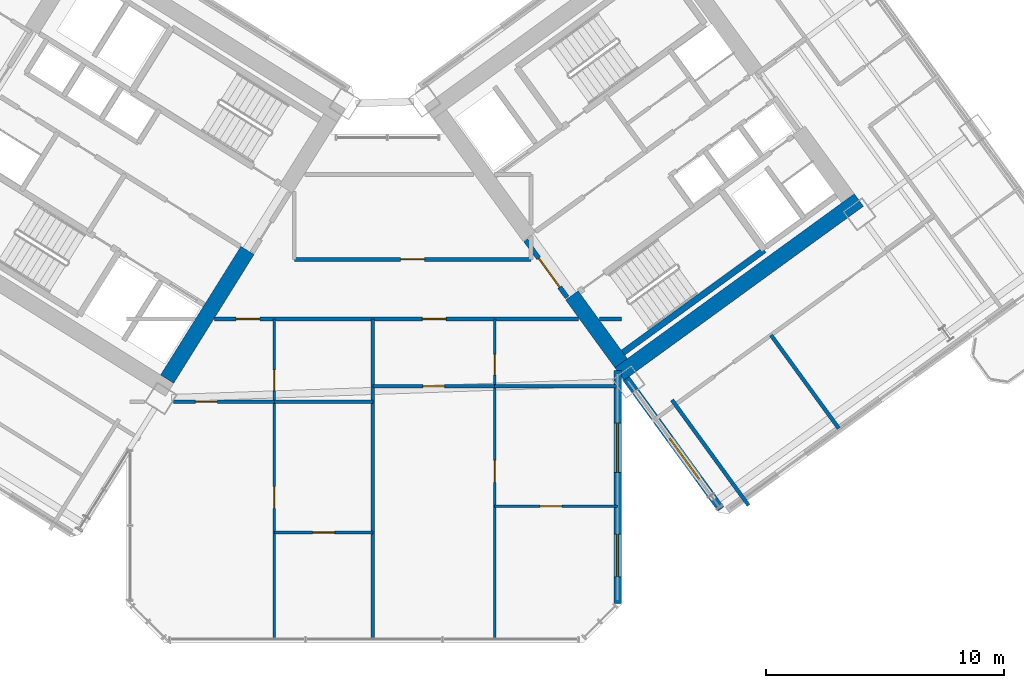
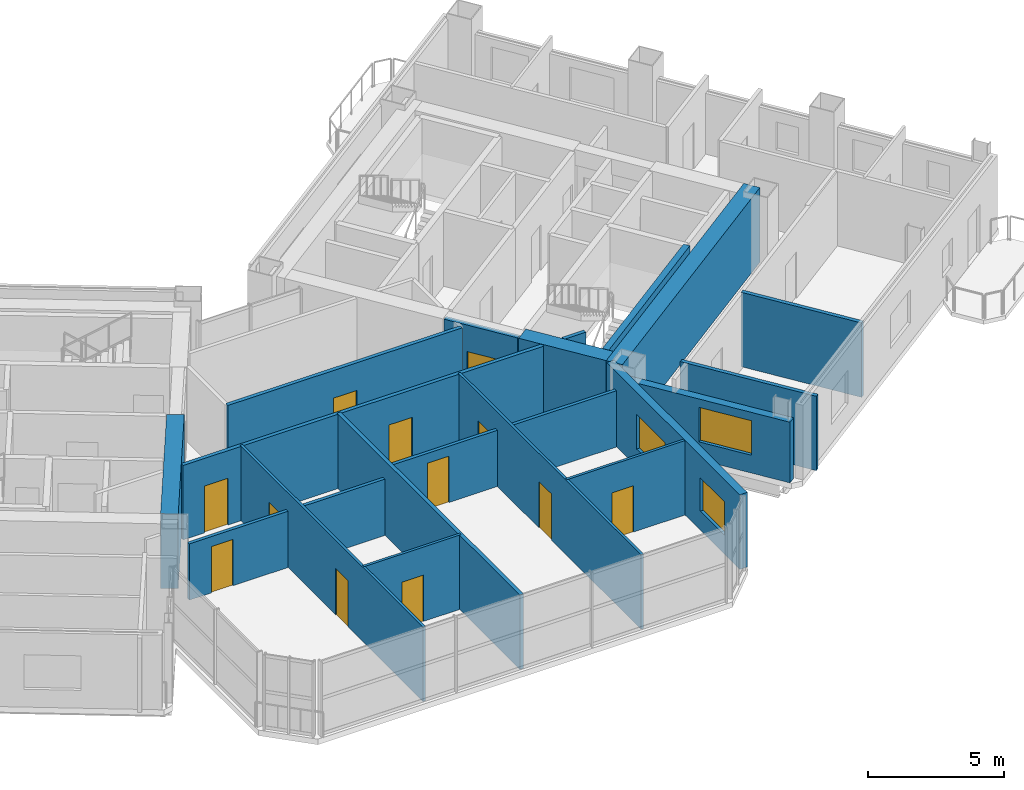
# One storey, part 17 of 28: 21 walls, 12 doors, 3 windows, 15 openings.
"""IFC4 building model written with IfcOpenShell, lengths in metres."""

from ifc_helpers import new_model, si_unit, direction, frame, frame_2d, origin, place, context, subcontext, project, spatial, rectangle, extrude, source, transform, mapped, material, layer, layer_set, type_object, element, fill, save


model = new_model("IFC4")

# Units and contexts
model_context = context("Model", 3, precision=1e-05, world=origin(), true_north=direction((0.0, 1.0)))
body_context = subcontext(model_context, "Body", "Model", "MODEL_VIEW")
ifc_project = project(units=[si_unit("LENGTHUNIT", "METRE"), si_unit("AREAUNIT", "SQUARE_METRE"), si_unit("VOLUMEUNIT", "CUBIC_METRE"), si_unit("PLANEANGLEUNIT", "RADIAN"), si_unit("MASSUNIT", "GRAM", prefix="KILO")], contexts=[model_context])

# Site, building, storey
site_placement = place(None, origin())
site = spatial("IfcSite", under=ifc_project, at=site_placement, CompositionType="ELEMENT")
building_placement = place(site_placement, origin())
building = spatial("IfcBuilding", under=site, at=building_placement, Name="Tlacorven Tower", CompositionType="ELEMENT")
storey_placement = place(building_placement, frame((0.0, 0.0, 56.39990234375)))
storey = spatial("IfcBuildingStorey", under=building, at=storey_placement, Name="L14", CompositionType="ELEMENT", Elevation=56.39990234375)

# Walls
ifc_material_1 = material(Name="Concrete C60/75", Category="concrete")
ifc_layer_1 = layer(ifc_material_1, 0.64990234375)
ifc_layer_set_1 = layer_set([ifc_layer_1], Name="Concrete C60/75")
wall_type_1 = type_object("IfcWallType", Name="WL-COR-650", PredefinedType="SHEAR", material=ifc_layer_set_1)
wall_1_placement = place(storey_placement, frame((36.683349609375, 18.30419921875, 0.0), z_axis=(0.0, 0.0, 1.0), x_axis=(-0.529899109053, -0.848060690178, 0.0)))
element("IfcWall", 1, at=wall_1_placement, inside=storey, type_object=wall_type_1, Name="L14 W core end wall E1.2", PredefinedType="SHEAR", context=body_context, shape_type="SweptSolid", body=[
    extrude(rectangle(XDim=6.375244140625, YDim=0.64990234375, at=frame_2d((3.1875, 0.0))), origin(), (0.0, 0.0, 1.0), 3.35009765625),
])
wall_2_placement = place(storey_placement, frame((52.318359375, 13.1103515625, 0.0), z_axis=(0.0, 0.0, 1.0), x_axis=(0.809019445368, 0.587781878776, 0.0)))
element("IfcWall", 2, at=wall_2_placement, inside=storey, type_object=wall_type_1, Name="L14 E core shear wall S1", PredefinedType="SHEAR", context=body_context, shape_type="SweptSolid", body=[
    extrude(rectangle(XDim=12.43994140625, YDim=0.64990234375, at=frame_2d((6.219970703125, 0.0))), origin(), (0.0, 0.0, 1.0), 3.35009765625),
])
wall_3_placement = place(storey_placement, frame((52.390380859375, 13.564208984375, 0.0), z_axis=(0.0, 0.0, 1.0), x_axis=(-0.58779688989, 0.809008539037, 0.0)))
element("IfcWall", 3, at=wall_3_placement, inside=storey, type_object=wall_type_1, Name="L14 E core end wall E1.1", PredefinedType="SHEAR", context=body_context, shape_type="SweptSolid", body=[
    extrude(rectangle(XDim=3.525146484375, YDim=0.64990234375, at=frame_2d((1.7626953125, 0.0))), origin(), (0.0, 0.0, 1.0), 3.35009765625),
])

# Wall, openings, doors
ifc_material_2 = material(Name="Gypsum plasterboard acoustic partition", Category="gypsum")
ifc_layer_2 = layer(ifc_material_2, 0.159912109375)
ifc_layer_set_2 = layer_set([ifc_layer_2], Name="Gypsum plasterboard acoustic partition")
wall_type_2 = type_object("IfcWallType", Name="WL-DEM-160", PredefinedType="PARTITIONING", material=ifc_layer_set_2)
wall_4_placement = place(storey_placement, frame((35.29638671875, 15.419921875, 0.0), z_axis=(0.0, 0.0, 1.0), x_axis=(1.0, 0.0, 0.0)))
wall_4 = element("IfcWall", 4, at=wall_4_placement, inside=storey, type_object=wall_type_2, Name="L14 Knuckle Corridor South Wall", PredefinedType="PARTITIONING", context=body_context, shape_type="SweptSolid", body=[
    extrude(rectangle(XDim=15.310546875, YDim=0.159912109375, at=frame_2d((7.6552734375, 0.0))), origin(), (0.0, 0.0, 1.0), 3.340087890625),
])
opening_1_placement = place(wall_4_placement, frame((0.91015625, 0.0, 0.0)))
opening_1 = element("IfcOpeningElement", 5, at=opening_1_placement, cuts=wall_4, Name="Opening D11", PredefinedType="OPENING", context=body_context, shape_type="SweptSolid", body=[
    extrude(rectangle(XDim=1.0, YDim=2.10009765625, at=frame_2d((0.5, 1.050048828125))), frame((0.0, 0.08984375, 0.0), z_axis=(0.0, -1.0, 0.0), x_axis=(1.0, 0.0, 0.0)), (0.0, 0.0, 1.0), 0.179931640625),
])
opening_2_placement = place(wall_4_placement, frame((8.73974609375, 0.0, 0.0)))
opening_2 = element("IfcOpeningElement", 6, at=opening_2_placement, cuts=wall_4, Name="Opening D11", PredefinedType="OPENING", context=body_context, shape_type="SweptSolid", body=[
    extrude(rectangle(XDim=1.0, YDim=2.10009765625, at=frame_2d((0.5, 1.050048828125))), frame((0.0, 0.08984375, 0.0), z_axis=(0.0, -1.0, 0.0), x_axis=(1.0, 0.0, 0.0)), (0.0, 0.0, 1.0), 0.179931640625),
])
ifc_material_3 = material(Name="Fire-rated steel door assembly", Category="steel")
door_type_1 = type_object("IfcDoorType", Name="DR-FLT-FD60-1000", OperationType="NOTDEFINED", PredefinedType="DOOR", material=ifc_material_3)
shared_shape_1 = source(origin(), body_context, "Body", "SweptSolid", [
    extrude(rectangle(XDim=1.0, YDim=2.10009765625, at=frame_2d((0.5, 1.050048828125))), frame((0.0, 0.02490234375, 0.0), z_axis=(0.0, -1.0, 0.0), x_axis=(1.0, 0.0, 0.0)), (0.0, 0.0, 1.0), 0.050048828125),
])
door_1_placement = place(opening_1_placement, frame((1.0, 0.0, 0.0), z_axis=(0.0, 0.0, 1.0), x_axis=(-1.0, 0.0, 0.0)))
door_1 = element("IfcDoor", 7, at=door_1_placement, inside=storey, type_object=door_type_1, Name="L14 door 045", OperationType="SINGLE_SWING_LEFT", OverallHeight=2.10009765625, OverallWidth=1.0, PredefinedType="DOOR", context=body_context, shape_type="MappedRepresentation", body=[
    mapped(shared_shape_1, transform((0.0, 0.0, 0.0), scale=1.0)),
])
fill(opening_1, door_1)
door_2_placement = place(opening_2_placement, frame((1.0, 0.0, 0.0), z_axis=(0.0, 0.0, 1.0), x_axis=(-1.0, 0.0, 0.0)))
door_2 = element("IfcDoor", 8, at=door_2_placement, inside=storey, type_object=door_type_1, Name="L14 door 050", OperationType="SINGLE_SWING_RIGHT", OverallHeight=2.10009765625, OverallWidth=1.0, PredefinedType="DOOR", context=body_context, shape_type="MappedRepresentation", body=[
    mapped(shared_shape_1, transform((0.0, 0.0, 0.0), scale=1.0)),
])
fill(opening_2, door_2)

# Wall
wall_5_placement = place(storey_placement, frame((51.477294921875, 15.419921875, 0.0), z_axis=(0.0, 0.0, 1.0), x_axis=(1.0, 0.0, 0.0)))
element("IfcWall", 9, at=wall_5_placement, inside=storey, type_object=wall_type_2, Name="L14 Knuckle Corridor South Wall", PredefinedType="PARTITIONING", context=body_context, shape_type="SweptSolid", body=[
    extrude(rectangle(XDim=0.922607421875, YDim=0.159912109375, at=frame_2d((0.46142578125, 0.0))), origin(), (0.0, 0.0, 1.0), 3.340087890625),
])

# Wall, opening, door
wall_6_placement = place(storey_placement, frame((38.64990234375, 17.929931640625, 0.0), z_axis=(0.0, 0.0, 1.0), x_axis=(1.0, 0.0, 0.0)))
wall_6 = element("IfcWall", 10, at=wall_6_placement, inside=storey, type_object=wall_type_2, Name="L14 partition 74", PredefinedType="PARTITIONING", context=body_context, shape_type="SweptSolid", body=[
    extrude(rectangle(XDim=9.9501953125, YDim=0.159912109375, at=frame_2d((4.97509765625, 0.0))), origin(), (0.0, 0.0, 1.0), 3.340087890625),
])
opening_3_placement = place(wall_6_placement, frame((4.47509765625, 0.0, 0.0)))
opening_3 = element("IfcOpeningElement", 11, at=opening_3_placement, cuts=wall_6, Name="Opening D11", PredefinedType="OPENING", context=body_context, shape_type="SweptSolid", body=[
    extrude(rectangle(XDim=1.0, YDim=2.10009765625, at=frame_2d((0.5, 1.050048828125))), frame((0.0, 0.08984375, 0.0), z_axis=(0.0, -1.0, 0.0), x_axis=(1.0, 0.0, 0.0)), (0.0, 0.0, 1.0), 0.179931640625),
])
door_3_placement = place(opening_3_placement, origin())
door_3 = element("IfcDoor", 12, at=door_3_placement, inside=storey, type_object=door_type_1, Name="L14 door 040", OperationType="SINGLE_SWING_RIGHT", OverallHeight=2.10009765625, OverallWidth=1.0, PredefinedType="DOOR", context=body_context, shape_type="MappedRepresentation", body=[
    mapped(shared_shape_1, transform((0.0, 0.0, 0.0), scale=1.0)),
])
fill(opening_3, door_3)

# Walls
wall_7_placement = place(storey_placement, frame((41.949951171875, 1.9599609375, 0.0), z_axis=(0.0, 0.0, 1.0), x_axis=(0.0, 1.0, 0.0)))
element("IfcWall", 13, at=wall_7_placement, inside=storey, type_object=wall_type_2, Name="L14 Knuckle Demising Wall 1", PredefinedType="PARTITIONING", context=body_context, shape_type="SweptSolid", body=[
    extrude(rectangle(XDim=13.4599609375, YDim=0.159912109375, at=frame_2d((6.72998046875, 0.0))), origin(), (0.0, 0.0, 1.0), 3.340087890625),
])
wall_8_placement = place(storey_placement, frame((57.747314453125, 7.586181640625, 0.0), z_axis=(0.0, 0.0, 1.0), x_axis=(-0.587784893399, 0.809017255126, 0.0)))
element("IfcWall", 14, at=wall_8_placement, inside=storey, type_object=wall_type_2, Name="L14 EC West Throat Wall", PredefinedType="PARTITIONING", context=body_context, shape_type="SweptSolid", body=[
    extrude(rectangle(XDim=5.480224609375, YDim=0.159912109375, at=frame_2d((2.740234375, 0.0))), origin(), (0.0, 0.0, 1.0), 3.340087890625),
])
wall_9_placement = place(storey_placement, frame((61.538818359375, 10.822998046875, 0.0), z_axis=(0.0, 0.0, 1.0), x_axis=(-0.587785532001, 0.809016791155, 0.0)))
element("IfcWall", 15, at=wall_9_placement, inside=storey, type_object=wall_type_2, Name="L14 EC Demising Wall 1", PredefinedType="PARTITIONING", context=body_context, shape_type="SweptSolid", body=[
    extrude(rectangle(XDim=4.85009765625, YDim=0.159912109375, at=frame_2d((2.425048828125, 0.0))), origin(), (0.0, 0.0, 1.0), 3.340087890625),
])

# Wall, opening, window
ifc_material_4 = material(Name="Precast concrete C45/55", Category="concrete")
ifc_layer_3 = layer(ifc_material_4, 0.320068359375)
ifc_layer_set_3 = layer_set([ifc_layer_3], Name="Precast concrete C45/55")
wall_type_3 = type_object("IfcWallType", Name="WL-EXT-320", PredefinedType="STANDARD", material=ifc_layer_set_3)
wall_10_placement = place(storey_placement, frame((56.5810546875, 7.43896484375, 0.0), z_axis=(0.0, 0.0, 1.0), x_axis=(-0.587785875463, 0.809016541614, 0.0)))
wall_10 = element("IfcWall", 16, at=wall_10_placement, inside=storey, type_object=wall_type_3, Name="L14 Masonry-Frame Recessed Facade Wall 7", PredefinedType="STANDARD", context=body_context, shape_type="SweptSolid", body=[
    extrude(rectangle(XDim=6.773681640625, YDim=0.320068359375, at=frame_2d((3.38671875, 0.0))), origin(), (0.0, 0.0, 1.0), 2.72509765625),
])
opening_4_placement = place(wall_10_placement, frame((1.55615234375, 0.0, 0.800048828125)))
opening_4 = element("IfcOpeningElement", 17, at=opening_4_placement, cuts=wall_10, Name="Opening WN04", PredefinedType="OPENING", context=body_context, shape_type="SweptSolid", body=[
    extrude(rectangle(XDim=2.10009765625, YDim=1.550048828125, at=frame_2d((1.050048828125, 0.77490234375))), frame((0.0, 0.169921875, 0.0), z_axis=(0.0, -1.0, 0.0), x_axis=(1.0, 0.0, 0.0)), (0.0, 0.0, 1.0), 0.340087890625),
])
ifc_material_5 = material(Name="Dark solar low-E double glazing in anodised aluminium frame", Category="aluminium")
window_type_1 = type_object("IfcWindowType", Name="WN-APT-2100X1750", PartitioningType="SINGLE_PANEL", PredefinedType="WINDOW", material=ifc_material_5)
shared_shape_2 = source(origin(), body_context, "Body", "SweptSolid", [
    extrude(rectangle(XDim=2.10009765625, YDim=1.550048828125, at=frame_2d((1.050048828125, 0.77490234375))), frame((0.0, 0.030029296875, 0.0), z_axis=(0.0, -1.0, 0.0), x_axis=(1.0, 0.0, 0.0)), (0.0, 0.0, 1.0), 0.06005859375),
])
window_1_placement = place(opening_4_placement, origin())
window_1 = element("IfcWindow", 18, at=window_1_placement, inside=storey, type_object=window_type_1, Name="L14 Recessed Masonry-Frame Window L14-07.1", OverallHeight=1.550048828125, OverallWidth=2.10009765625, PartitioningType="SINGLE_PANEL", PredefinedType="WINDOW", context=body_context, shape_type="MappedRepresentation", body=[
    mapped(shared_shape_2, transform((0.0, 0.0, 0.0), scale=1.0)),
])
fill(opening_4, window_1)

# Wall, openings, windows
wall_11_placement = place(storey_placement, frame((52.239990234375, 13.260986328125, 0.0), z_axis=(0.0, 0.0, 1.0), x_axis=(0.0, -1.0, 0.0)))
wall_11 = element("IfcWall", 19, at=wall_11_placement, inside=storey, type_object=wall_type_3, Name="L14 Masonry-Frame Recessed Facade Wall 8", PredefinedType="STANDARD", context=body_context, shape_type="SweptSolid", body=[
    extrude(rectangle(XDim=9.794677734375, YDim=0.320068359375, at=frame_2d((4.8974609375, 0.0))), origin(), (0.0, 0.0, 1.0), 3.35009765625),
])
opening_5_placement = place(wall_11_placement, frame((2.199462890625, 0.0, 0.800048828125)))
opening_5 = element("IfcOpeningElement", 20, at=opening_5_placement, cuts=wall_11, Name="Opening WN04", PredefinedType="OPENING", context=body_context, shape_type="SweptSolid", body=[
    extrude(rectangle(XDim=2.10009765625, YDim=1.550048828125, at=frame_2d((1.050048828125, 0.77490234375))), frame((0.0, 0.169921875, 0.0), z_axis=(0.0, -1.0, 0.0), x_axis=(1.0, 0.0, 0.0)), (0.0, 0.0, 1.0), 0.340087890625),
])
opening_6_placement = place(wall_11_placement, frame((6.880126953125, 0.0, 0.85009765625)))
opening_6 = element("IfcOpeningElement", 21, at=opening_6_placement, cuts=wall_11, Name="Opening WN01", PredefinedType="OPENING", context=body_context, shape_type="SweptSolid", body=[
    extrude(rectangle(XDim=1.800048828125, YDim=1.5, at=frame_2d((0.89990234375, 0.75))), frame((0.0, 0.169921875, 0.0), z_axis=(0.0, -1.0, 0.0), x_axis=(1.0, 0.0, 0.0)), (0.0, 0.0, 1.0), 0.340087890625),
])
window_2_placement = place(opening_5_placement, origin())
window_2 = element("IfcWindow", 22, at=window_2_placement, inside=storey, type_object=window_type_1, Name="L14 Recessed Masonry-Frame Window L14-08.1", OverallHeight=1.550048828125, OverallWidth=2.10009765625, PartitioningType="SINGLE_PANEL", PredefinedType="WINDOW", context=body_context, shape_type="MappedRepresentation", body=[
    mapped(shared_shape_2, transform((0.0, 0.0, 0.0), scale=1.0)),
])
fill(opening_5, window_2)
window_type_2 = type_object("IfcWindowType", Name="WN-APT-1800X1650", PartitioningType="SINGLE_PANEL", PredefinedType="WINDOW", material=ifc_material_5)
shared_shape_3 = source(origin(), body_context, "Body", "SweptSolid", [
    extrude(rectangle(XDim=1.800048828125, YDim=1.5, at=frame_2d((0.89990234375, 0.75))), frame((0.0, 0.030029296875, 0.0), z_axis=(0.0, -1.0, 0.0), x_axis=(1.0, 0.0, 0.0)), (0.0, 0.0, 1.0), 0.06005859375),
])
window_3_placement = place(opening_6_placement, origin())
window_3 = element("IfcWindow", 23, at=window_3_placement, inside=storey, type_object=window_type_2, Name="L14 Recessed Masonry-Frame Window L14-08.2", OverallHeight=1.5, OverallWidth=1.800048828125, PartitioningType="SINGLE_PANEL", PredefinedType="WINDOW", context=body_context, shape_type="MappedRepresentation", body=[
    mapped(shared_shape_3, transform((0.0, 0.0, 0.0), scale=1.0)),
])
fill(opening_6, window_3)

# Wall, openings, doors
ifc_material_6 = material(Name="Gypsum plasterboard partition", Category="gypsum")
ifc_layer_4 = layer(ifc_material_6, 0.110107421875)
ifc_layer_set_4 = layer_set([ifc_layer_4], Name="Gypsum plasterboard partition")
wall_type_4 = type_object("IfcWallType", Name="WL-INT-110", PredefinedType="PARTITIONING", material=ifc_layer_set_4)
wall_12_placement = place(storey_placement, frame((37.81298828125, 1.9599609375, 0.0), z_axis=(0.0, 0.0, 1.0), x_axis=(0.0, 1.0, 0.0)))
wall_12 = element("IfcWall", 24, at=wall_12_placement, inside=storey, type_object=wall_type_4, Name="L14 partition 80", PredefinedType="PARTITIONING", context=body_context, shape_type="SweptSolid", body=[
    extrude(rectangle(XDim=13.4599609375, YDim=0.110107421875, at=frame_2d((6.72998046875, 0.0))), origin(), (0.0, 0.0, 1.0), 3.340087890625),
])
opening_7_placement = place(wall_12_placement, frame((5.5, 0.0, 0.0)))
opening_7 = element("IfcOpeningElement", 25, at=opening_7_placement, cuts=wall_12, Name="Opening D12", PredefinedType="OPENING", context=body_context, shape_type="SweptSolid", body=[
    extrude(rectangle(XDim=0.919921875, YDim=2.080078125, at=frame_2d((0.4599609375, 1.0400390625))), frame((0.0, 0.06494140625, 0.0), z_axis=(0.0, -1.0, 0.0), x_axis=(1.0, 0.0, 0.0)), (0.0, 0.0, 1.0), 0.130126953125),
])
opening_8_placement = place(wall_12_placement, frame((10.449951171875, 0.0, 0.0)))
opening_8 = element("IfcOpeningElement", 26, at=opening_8_placement, cuts=wall_12, Name="Opening D13", PredefinedType="OPENING", context=body_context, shape_type="SweptSolid", body=[
    extrude(rectangle(XDim=0.8798828125, YDim=2.080078125, at=frame_2d((0.43994140625, 1.0400390625))), frame((0.0, 0.06494140625, 0.0), z_axis=(0.0, -1.0, 0.0), x_axis=(1.0, 0.0, 0.0)), (0.0, 0.0, 1.0), 0.130126953125),
])
ifc_material_7 = material(Name="Powder-coated aluminium and timber door", Category="wood")
door_type_2 = type_object("IfcDoorType", Name="DR-INT-WET-0880", OperationType="NOTDEFINED", PredefinedType="DOOR", material=ifc_material_7)
shared_shape_4 = source(origin(), body_context, "Body", "SweptSolid", [
    extrude(rectangle(XDim=0.8798828125, YDim=2.080078125, at=frame_2d((0.43994140625, 1.0400390625))), frame((0.0, 0.02490234375, 0.0), z_axis=(0.0, -1.0, 0.0), x_axis=(1.0, 0.0, 0.0)), (0.0, 0.0, 1.0), 0.050048828125),
])
door_4_placement = place(opening_8_placement, origin())
door_4 = element("IfcDoor", 27, at=door_4_placement, inside=storey, type_object=door_type_2, Name="L14 door 047", OperationType="SINGLE_SWING_LEFT", OverallHeight=2.080078125, OverallWidth=0.8798828125, PredefinedType="DOOR", context=body_context, shape_type="MappedRepresentation", body=[
    mapped(shared_shape_4, transform((0.0, 0.0, 0.0), scale=1.0)),
])
fill(opening_8, door_4)
door_type_3 = type_object("IfcDoorType", Name="DR-INT-ROOM-0920", OperationType="NOTDEFINED", PredefinedType="DOOR", material=ifc_material_7)
shared_shape_5 = source(origin(), body_context, "Body", "SweptSolid", [
    extrude(rectangle(XDim=0.919921875, YDim=2.080078125, at=frame_2d((0.4599609375, 1.0400390625))), frame((0.0, 0.02490234375, 0.0), z_axis=(0.0, -1.0, 0.0), x_axis=(1.0, 0.0, 0.0)), (0.0, 0.0, 1.0), 0.050048828125),
])
door_5_placement = place(opening_7_placement, origin())
door_5 = element("IfcDoor", 28, at=door_5_placement, inside=storey, type_object=door_type_3, Name="L14 door 043", OperationType="SINGLE_SWING_LEFT", OverallHeight=2.080078125, OverallWidth=0.919921875, PredefinedType="DOOR", context=body_context, shape_type="MappedRepresentation", body=[
    mapped(shared_shape_5, transform((0.0, 0.0, 0.0), scale=1.0)),
])
fill(opening_7, door_5)

# Wall, opening, door
wall_13_placement = place(storey_placement, frame((37.81298828125, 6.449951171875, 0.0), z_axis=(0.0, 0.0, 1.0), x_axis=(1.0, 0.0, 0.0)))
wall_13 = element("IfcWall", 29, at=wall_13_placement, inside=storey, type_object=wall_type_4, Name="L14 partition 83", PredefinedType="PARTITIONING", context=body_context, shape_type="SweptSolid", body=[
    extrude(rectangle(XDim=4.136962890625, YDim=0.110107421875, at=frame_2d((2.068359375, 0.0))), origin(), (0.0, 0.0, 1.0), 3.340087890625),
])
opening_9_placement = place(wall_13_placement, frame((1.6083984375, 0.0, 0.0)))
opening_9 = element("IfcOpeningElement", 30, at=opening_9_placement, cuts=wall_13, Name="Opening D12", PredefinedType="OPENING", context=body_context, shape_type="SweptSolid", body=[
    extrude(rectangle(XDim=0.919921875, YDim=2.080078125, at=frame_2d((0.4599609375, 1.0400390625))), frame((0.0, 0.06494140625, 0.0), z_axis=(0.0, -1.0, 0.0), x_axis=(1.0, 0.0, 0.0)), (0.0, 0.0, 1.0), 0.130126953125),
])
door_6_placement = place(opening_9_placement, origin())
door_6 = element("IfcDoor", 31, at=door_6_placement, inside=storey, type_object=door_type_3, Name="L14 door 044", OperationType="SINGLE_SWING_RIGHT", OverallHeight=2.080078125, OverallWidth=0.919921875, PredefinedType="DOOR", context=body_context, shape_type="MappedRepresentation", body=[
    mapped(shared_shape_5, transform((0.0, 0.0, 0.0), scale=1.0)),
])
fill(opening_9, door_6)

# Wall, openings, doors
wall_14_placement = place(storey_placement, frame((47.072021484375, 1.9599609375, 0.0), z_axis=(0.0, 0.0, 1.0), x_axis=(0.0, 1.0, 0.0)))
wall_14 = element("IfcWall", 32, at=wall_14_placement, inside=storey, type_object=wall_type_4, Name="L14 partition 84", PredefinedType="PARTITIONING", context=body_context, shape_type="SweptSolid", body=[
    extrude(rectangle(XDim=13.4599609375, YDim=0.110107421875, at=frame_2d((6.72998046875, 0.0))), origin(), (0.0, 0.0, 1.0), 3.340087890625),
])
opening_10_placement = place(wall_14_placement, frame((6.60009765625, 0.0, 0.0)))
opening_10 = element("IfcOpeningElement", 33, at=opening_10_placement, cuts=wall_14, Name="Opening D12", PredefinedType="OPENING", context=body_context, shape_type="SweptSolid", body=[
    extrude(rectangle(XDim=0.919921875, YDim=2.080078125, at=frame_2d((0.4599609375, 1.0400390625))), frame((0.0, 0.06494140625, 0.0), z_axis=(0.0, -1.0, 0.0), x_axis=(1.0, 0.0, 0.0)), (0.0, 0.0, 1.0), 0.130126953125),
])
opening_11_placement = place(wall_14_placement, frame((11.10009765625, 0.0, 0.0)))
opening_11 = element("IfcOpeningElement", 34, at=opening_11_placement, cuts=wall_14, Name="Opening D13", PredefinedType="OPENING", context=body_context, shape_type="SweptSolid", body=[
    extrude(rectangle(XDim=0.8798828125, YDim=2.080078125, at=frame_2d((0.43994140625, 1.0400390625))), frame((0.0, 0.06494140625, 0.0), z_axis=(0.0, -1.0, 0.0), x_axis=(1.0, 0.0, 0.0)), (0.0, 0.0, 1.0), 0.130126953125),
])
door_7_placement = place(opening_11_placement, origin())
door_7 = element("IfcDoor", 35, at=door_7_placement, inside=storey, type_object=door_type_2, Name="L14 door 052", OperationType="SINGLE_SWING_RIGHT", OverallHeight=2.080078125, OverallWidth=0.8798828125, PredefinedType="DOOR", context=body_context, shape_type="MappedRepresentation", body=[
    mapped(shared_shape_4, transform((0.0, 0.0, 0.0), scale=1.0)),
])
fill(opening_11, door_7)
door_8_placement = place(opening_10_placement, origin())
door_8 = element("IfcDoor", 36, at=door_8_placement, inside=storey, type_object=door_type_3, Name="L14 door 048", OperationType="SINGLE_SWING_RIGHT", OverallHeight=2.080078125, OverallWidth=0.919921875, PredefinedType="DOOR", context=body_context, shape_type="MappedRepresentation", body=[
    mapped(shared_shape_5, transform((0.0, 0.0, 0.0), scale=1.0)),
])
fill(opening_10, door_8)

# Wall, opening, door
wall_15_placement = place(storey_placement, frame((47.072021484375, 7.550048828125, 0.0), z_axis=(0.0, 0.0, 1.0), x_axis=(1.0, 0.0, 0.0)))
wall_15 = element("IfcWall", 37, at=wall_15_placement, inside=storey, type_object=wall_type_4, Name="L14 partition 87", PredefinedType="PARTITIONING", context=body_context, shape_type="SweptSolid", body=[
    extrude(rectangle(XDim=5.18798828125, YDim=0.110107421875, at=frame_2d((2.593994140625, 0.0))), origin(), (0.0, 0.0, 1.0), 3.340087890625),
])
opening_12_placement = place(wall_15_placement, frame((1.904052734375, 0.0, 0.0)))
opening_12 = element("IfcOpeningElement", 38, at=opening_12_placement, cuts=wall_15, Name="Opening D12", PredefinedType="OPENING", context=body_context, shape_type="SweptSolid", body=[
    extrude(rectangle(XDim=0.919921875, YDim=2.080078125, at=frame_2d((0.4599609375, 1.0400390625))), frame((0.0, 0.06494140625, 0.0), z_axis=(0.0, -1.0, 0.0), x_axis=(1.0, 0.0, 0.0)), (0.0, 0.0, 1.0), 0.130126953125),
])
door_9_placement = place(opening_12_placement, origin())
door_9 = element("IfcDoor", 39, at=door_9_placement, inside=storey, type_object=door_type_3, Name="L14 door 049", OperationType="SINGLE_SWING_LEFT", OverallHeight=2.080078125, OverallWidth=0.919921875, PredefinedType="DOOR", context=body_context, shape_type="MappedRepresentation", body=[
    mapped(shared_shape_5, transform((0.0, 0.0, 0.0), scale=1.0)),
])
fill(opening_12, door_9)

ifc_material_8 = material(Name="Moisture-resistant gypsum plumbing wall", Category="gypsum")
ifc_layer_5 = layer(ifc_material_8, 0.139892578125)
ifc_layer_set_5 = layer_set([ifc_layer_5], Name="Moisture-resistant gypsum plumbing wall")
wall_type_5 = type_object("IfcWallType", Name="WL-PLM-140", PredefinedType="PLUMBINGWALL", material=ifc_layer_set_5)
wall_16_placement = place(storey_placement, frame((33.564453125, 11.949951171875, 0.0), z_axis=(0.0, 0.0, 1.0), x_axis=(1.0, 0.0, 0.0)))
wall_16 = element("IfcWall", 40, at=wall_16_placement, inside=storey, type_object=wall_type_5, Name="L14 partition 81", PredefinedType="PLUMBINGWALL", context=body_context, shape_type="SweptSolid", body=[
    extrude(rectangle(XDim=4.24853515625, YDim=0.139892578125, at=frame_2d((2.124267578125, 0.0))), origin(), (0.0, 0.0, 1.0), 2.525146484375),
])
opening_13_placement = place(wall_16_placement, frame((0.93212890625, 0.0, 0.0)))
opening_13 = element("IfcOpeningElement", 41, at=opening_13_placement, cuts=wall_16, Name="Opening D12", PredefinedType="OPENING", context=body_context, shape_type="SweptSolid", body=[
    extrude(rectangle(XDim=0.919921875, YDim=2.080078125, at=frame_2d((0.4599609375, 1.0400390625))), frame((0.0, 0.080078125, 0.0), z_axis=(0.0, -1.0, 0.0), x_axis=(1.0, 0.0, 0.0)), (0.0, 0.0, 1.0), 0.159912109375),
])
door_10_placement = place(opening_13_placement, frame((0.919921875, 0.0, 0.0), z_axis=(0.0, 0.0, 1.0), x_axis=(-1.0, 0.0, 0.0)))
door_10 = element("IfcDoor", 42, at=door_10_placement, inside=storey, type_object=door_type_3, Name="L14 door 046", OperationType="SINGLE_SWING_RIGHT", OverallHeight=2.080078125, OverallWidth=0.919921875, PredefinedType="DOOR", context=body_context, shape_type="MappedRepresentation", body=[
    mapped(shared_shape_5, transform((0.0, 0.0, 0.0), scale=1.0)),
])
fill(opening_13, door_10)

# Wall
wall_17_placement = place(storey_placement, frame((37.81298828125, 11.949951171875, 0.0), z_axis=(0.0, 0.0, 1.0), x_axis=(1.0, 0.0, 0.0)))
element("IfcWall", 43, at=wall_17_placement, inside=storey, type_object=wall_type_5, Name="L14 partition 82", PredefinedType="PLUMBINGWALL", context=body_context, shape_type="SweptSolid", body=[
    extrude(rectangle(XDim=4.136962890625, YDim=0.139892578125, at=frame_2d((2.068359375, 0.0))), origin(), (0.0, 0.0, 1.0), 2.525146484375),
])

# Wall, opening, door
wall_18_placement = place(storey_placement, frame((41.949951171875, 12.60009765625, 0.0), z_axis=(0.0, 0.0, 1.0), x_axis=(1.0, 0.0, 0.0)))
wall_18 = element("IfcWall", 44, at=wall_18_placement, inside=storey, type_object=wall_type_5, Name="L14 partition 85", PredefinedType="PLUMBINGWALL", context=body_context, shape_type="SweptSolid", body=[
    extrude(rectangle(XDim=5.1220703125, YDim=0.139892578125, at=frame_2d((2.56103515625, 0.0))), origin(), (0.0, 0.0, 1.0), 2.525146484375),
])
opening_14_placement = place(wall_18_placement, frame((2.10107421875, 0.0, 0.0)))
opening_14 = element("IfcOpeningElement", 45, at=opening_14_placement, cuts=wall_18, Name="Opening D12", PredefinedType="OPENING", context=body_context, shape_type="SweptSolid", body=[
    extrude(rectangle(XDim=0.919921875, YDim=2.080078125, at=frame_2d((0.4599609375, 1.0400390625))), frame((0.0, 0.080078125, 0.0), z_axis=(0.0, -1.0, 0.0), x_axis=(1.0, 0.0, 0.0)), (0.0, 0.0, 1.0), 0.159912109375),
])
door_11_placement = place(opening_14_placement, frame((0.919921875, 0.0, 0.0), z_axis=(0.0, 0.0, 1.0), x_axis=(-1.0, 0.0, 0.0)))
door_11 = element("IfcDoor", 46, at=door_11_placement, inside=storey, type_object=door_type_3, Name="L14 door 051", OperationType="SINGLE_SWING_LEFT", OverallHeight=2.080078125, OverallWidth=0.919921875, PredefinedType="DOOR", context=body_context, shape_type="MappedRepresentation", body=[
    mapped(shared_shape_5, transform((0.0, 0.0, 0.0), scale=1.0)),
])
fill(opening_14, door_11)

# Wall
wall_19_placement = place(storey_placement, frame((47.072021484375, 12.60009765625, 0.0), z_axis=(0.0, 0.0, 1.0), x_axis=(1.0, 0.0, 0.0)))
element("IfcWall", 47, at=wall_19_placement, inside=storey, type_object=wall_type_5, Name="L14 partition 86", PredefinedType="PLUMBINGWALL", context=body_context, shape_type="SweptSolid", body=[
    extrude(rectangle(XDim=5.12646484375, YDim=0.139892578125, at=frame_2d((2.563232421875, 0.0))), origin(), (0.0, 0.0, 1.0), 2.525146484375),
])

# Wall, opening, door
ifc_material_9 = material(Name="Concrete C40/50", Category="concrete")
ifc_layer_6 = layer(ifc_material_9, 0.199951171875)
ifc_layer_set_6 = layer_set([ifc_layer_6], Name="Concrete C40/50")
wall_type_6 = type_object("IfcWallType", Name="WL-SHF-200", PredefinedType="STANDARD", material=ifc_layer_set_6)
wall_20_placement = place(storey_placement, frame((50.119140625, 16.3330078125, 0.0), z_axis=(0.0, 0.0, 1.0), x_axis=(-0.587749856981, 0.809042709391, 0.0)))
wall_20 = element("IfcWall", 48, at=wall_20_placement, inside=storey, type_object=wall_type_6, Name="L14 partition 78", PredefinedType="STANDARD", context=body_context, shape_type="SweptSolid", body=[
    extrude(rectangle(XDim=2.9599609375, YDim=0.199951171875, at=frame_2d((1.47998046875, 0.0))), origin(), (0.0, 0.0, 1.0), 3.340087890625),
])
opening_15_placement = place(wall_20_placement, frame((0.530029296875, 0.0, 0.0)))
opening_15 = element("IfcOpeningElement", 49, at=opening_15_placement, cuts=wall_20, Name="Opening D10", PredefinedType="OPENING", context=body_context, shape_type="SweptSolid", body=[
    extrude(rectangle(XDim=1.5, YDim=2.14990234375, at=frame_2d((0.75, 1.074951171875))), frame((0.0, 0.10986328125, 0.0), z_axis=(0.0, -1.0, 0.0), x_axis=(1.0, 0.0, 0.0)), (0.0, 0.0, 1.0), 0.219970703125),
])
door_type_4 = type_object("IfcDoorType", Name="DR-LOB-FD60-1500", OperationType="DOUBLE_DOOR_SINGLE_SWING", PredefinedType="DOOR", material=ifc_material_3)
shared_shape_6 = source(origin(), body_context, "Body", "SweptSolid", [
    extrude(rectangle(XDim=1.5, YDim=2.14990234375, at=frame_2d((0.75, 1.074951171875))), frame((0.0, 0.02490234375, 0.0), z_axis=(0.0, -1.0, 0.0), x_axis=(1.0, 0.0, 0.0)), (0.0, 0.0, 1.0), 0.050048828125),
])
door_12_placement = place(opening_15_placement, frame((1.5, 0.0, 0.0), z_axis=(0.0, 0.0, 1.0), x_axis=(-1.0, 0.0, 0.0)))
door_12 = element("IfcDoor", 50, at=door_12_placement, inside=storey, type_object=door_type_4, Name="L14 door 042", OperationType="DOUBLE_DOOR_SINGLE_SWING", OverallHeight=2.14990234375, OverallWidth=1.5, PredefinedType="DOOR", context=body_context, shape_type="MappedRepresentation", body=[
    mapped(shared_shape_6, transform((0.0, 0.0, 0.0), scale=1.0)),
])
fill(opening_15, door_12)

# Wall
ifc_material_10 = material(Name="Concrete C50/60", Category="concrete")
ifc_layer_7 = layer(ifc_material_10, 0.260009765625)
ifc_layer_set_7 = layer_set([ifc_layer_7], Name="Concrete C50/60")
wall_type_7 = type_object("IfcWallType", Name="WL-STW-260", PredefinedType="SHEAR", material=ifc_layer_set_7)
wall_21_placement = place(storey_placement, frame((52.47216796875, 14.01318359375, 0.0), z_axis=(0.0, 0.0, 1.0), x_axis=(0.809028366311, 0.587769599847, 0.0)))
element("IfcWall", 51, at=wall_21_placement, inside=storey, type_object=wall_type_7, Name="L14 Stair E2 Far Shear Wall", PredefinedType="SHEAR", context=body_context, shape_type="SweptSolid", body=[
    extrude(rectangle(XDim=7.330078125, YDim=0.260009765625, at=frame_2d((3.6650390625, 0.0))), origin(), (0.0, 0.0, 1.0), 3.35009765625),
])

save(model, "model.ifc")
